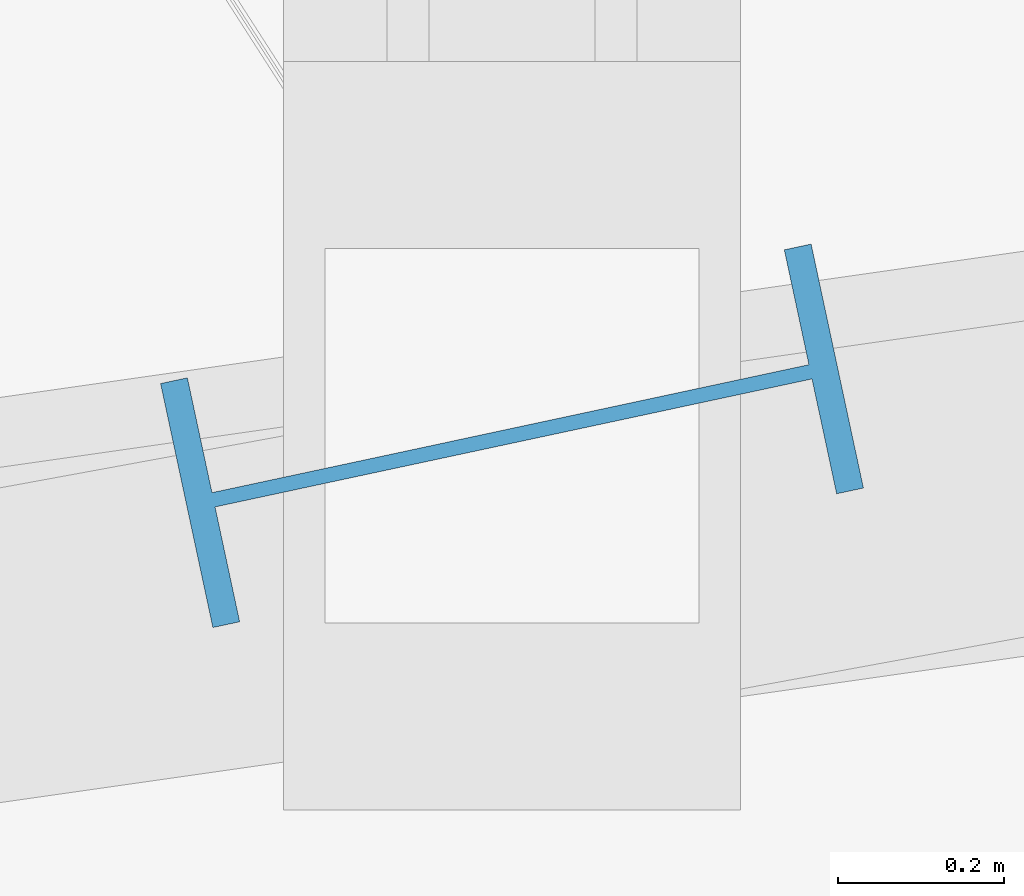
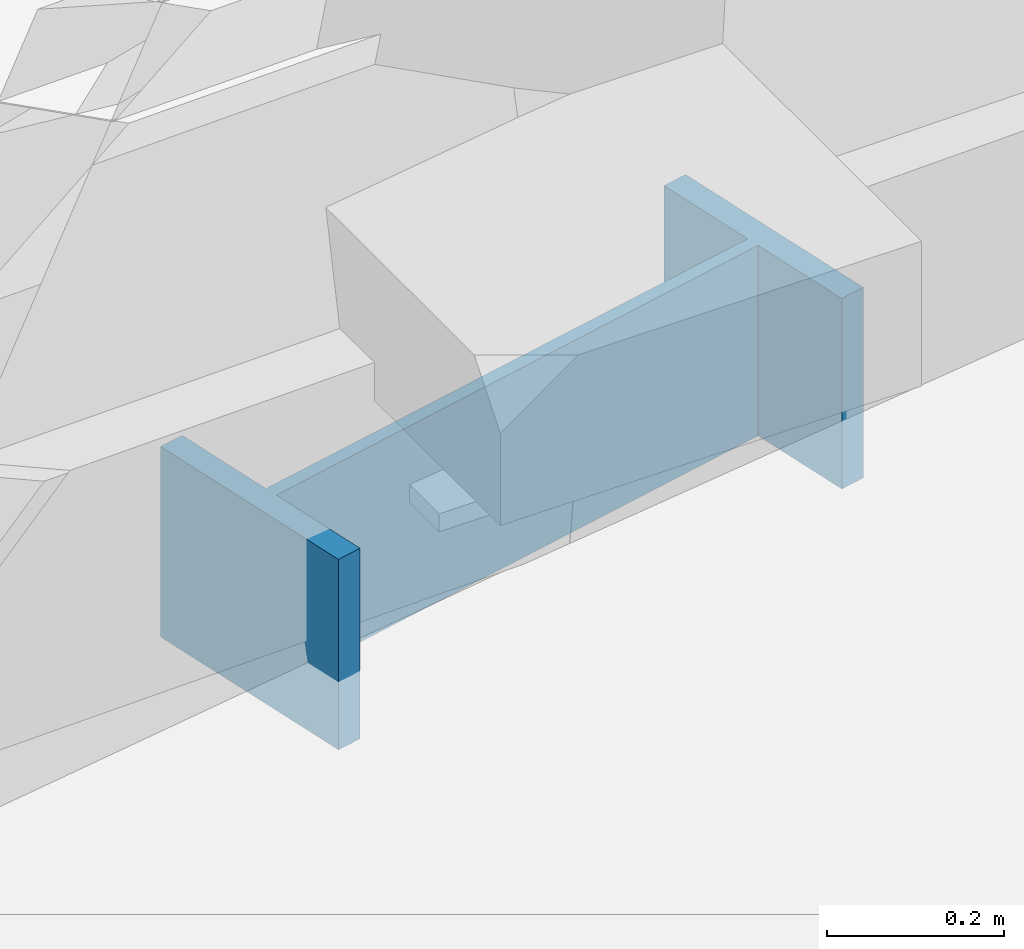
# One storey, part 6 of 68: 1 column.
"""IFC4 building model written with IfcOpenShell, lengths in metres."""

from ifc_helpers import new_model, si_unit, direction, frame, origin, origin_2d, place, context, subcontext, project, spatial, i_section, extrude, material, material_profile, profile_set, type_object, element, save


model = new_model("IFC4")

# Units and contexts
model_context = context("Model", 3, precision=1e-05, world=origin(), true_north=direction((0.0, 1.0)))
body_context = subcontext(model_context, "Body", "Model", "MODEL_VIEW")
ifc_project = project(units=[si_unit("LENGTHUNIT", "METRE"), si_unit("AREAUNIT", "SQUARE_METRE"), si_unit("VOLUMEUNIT", "CUBIC_METRE"), si_unit("PLANEANGLEUNIT", "RADIAN"), si_unit("MASSUNIT", "GRAM", prefix="KILO")], contexts=[model_context])

# Site, building, storey
site_placement = place(None, origin())
site = spatial("IfcSite", under=ifc_project, at=site_placement, CompositionType="ELEMENT")
building_placement = place(site_placement, origin())
building = spatial("IfcBuilding", under=site, at=building_placement, Name="Sohan Crest Arena", CompositionType="ELEMENT")
storey_placement = place(building_placement, frame((0.0, 0.0, 27.0)))
storey = spatial("IfcBuildingStorey", under=building, at=storey_placement, Name="RF", CompositionType="ELEMENT", Elevation=27.0)

# Column
ifc_material = material(Name="Steel S355", Category="steel")
ifc_material_profile = material_profile(ifc_material, i_section(OverallWidth=0.300048828125, OverallDepth=0.800048828125, WebThickness=0.017578125, FlangeThickness=0.032958984375, at=origin_2d()), Name="HEB 800")
ifc_profile_set = profile_set([ifc_material_profile], Name="Steel S355")
column_type = type_object("IfcColumnType", Name="STR-COL-C22", PredefinedType="COLUMN", material=ifc_profile_set)
column_placement = place(storey_placement, frame((108.0, 31.428955078125, 0.0), z_axis=(0.0, 0.0, 1.0), x_axis=(-0.209618562904, 0.977783236759, 0.0)))
element("IfcColumn", 1, at=column_placement, inside=storey, type_object=column_type, Name="Structural column COL-V2O-14-RF", PredefinedType="COLUMN", context=body_context, shape_type="SweptSolid", body=[
    extrude(i_section(OverallWidth=0.300048828125, OverallDepth=0.800048828125, WebThickness=0.017578125, FlangeThickness=0.032958984375, at=origin_2d()), origin(), (0.0, 0.0, 1.0), 0.262939453125),
])

save(model, "model.ifc")
